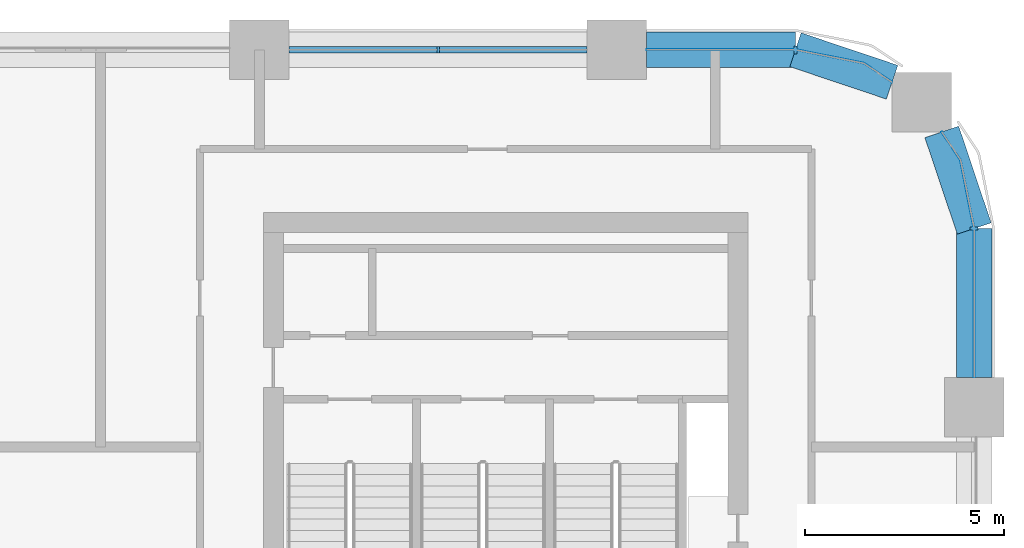
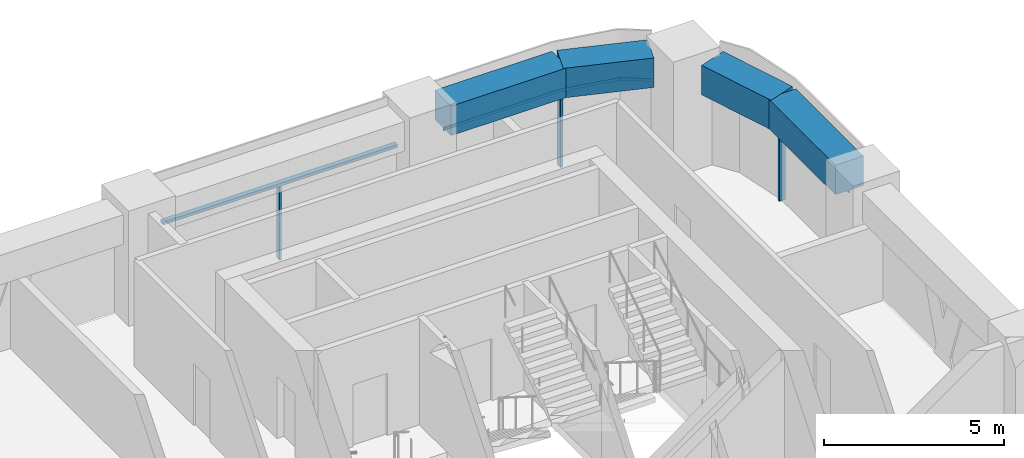
# One storey, part 6 of 14: 6 members, 4 beams, 3 elements without a shape of their own.
"""IFC4 building model written with IfcOpenShell, lengths in metres."""

from ifc_helpers import new_model, si_unit, direction, frame, origin, origin_2d, place, context, subcontext, project, spatial, polyline, rectangle, outline, extrude, material, material_profile, profile_set, type_object, element, aggregate, save


model = new_model("IFC4")

# Units and contexts
model_context = context("Model", 3, precision=1e-05, world=origin(), true_north=direction((0.0, 1.0)))
body_context = subcontext(model_context, "Body", "Model", "MODEL_VIEW")
ifc_project = project(units=[si_unit("LENGTHUNIT", "METRE"), si_unit("AREAUNIT", "SQUARE_METRE"), si_unit("VOLUMEUNIT", "CUBIC_METRE"), si_unit("PLANEANGLEUNIT", "RADIAN"), si_unit("MASSUNIT", "GRAM", prefix="KILO")], contexts=[model_context])

# Site, building, storey
site_placement = place(None, origin())
site = spatial("IfcSite", under=ifc_project, at=site_placement, CompositionType="ELEMENT")
building_placement = place(site_placement, origin())
building = spatial("IfcBuilding", under=site, at=building_placement, Name="Tessera Arch", CompositionType="ELEMENT")
storey_placement = place(building_placement, frame((0.0, 0.0, 138.800048828125)))
storey = spatial("IfcBuildingStorey", under=building, at=storey_placement, Name="L32", CompositionType="ELEMENT", Elevation=138.800048828125)

# Curtain wall, members
ifc_material_1 = material(Name="CW1 curtain wall")
curtain_wall_type_1 = type_object("IfcCurtainWallType", Name="CW1 curtain wall", PredefinedType="NOTDEFINED", material=ifc_material_1)
curtain_wall_1_placement = place(storey_placement, origin())
curtain_wall_1 = element("IfcCurtainWall", 1, at=curtain_wall_1_placement, inside=storey, type_object=curtain_wall_type_1, Name="CW1 curtain wall N54.0/1 L32", PredefinedType="NOTDEFINED")
ifc_material_2 = material(Name="Anodised aluminium pale metal", Category="aluminium")
ifc_material_profile_1 = material_profile(ifc_material_2, rectangle(XDim=0.159912109375, YDim=0.06005859375, at=origin_2d()), Name="AL 60x160")
ifc_profile_set_1 = profile_set([ifc_material_profile_1], Name="Anodised aluminium pale metal")
member_type_1 = type_object("IfcMemberType", Name="CW1 mullion", PredefinedType="MULLION", material=ifc_profile_set_1)
member_1_placement = place(storey_placement, frame((40.5, 54.0, 0.0), z_axis=(0.0, 0.0, 1.0), x_axis=(0.0, -1.0, 0.0)))
member_1 = element("IfcMember", 2, at=member_1_placement, type_object=member_type_1, Name="CW1 mullion N54.0/1 1", PredefinedType="MULLION", context=body_context, shape_type="SweptSolid", body=[
    extrude(rectangle(XDim=0.159912109375, YDim=0.06005859375, at=origin_2d()), origin(), (0.0, 0.0, 1.0), 2.5),
])
ifc_material_3 = material(Name="Anodised aluminium pale metal", Category="aluminium")
ifc_material_profile_2 = material_profile(ifc_material_3, rectangle(XDim=0.159912109375, YDim=0.10009765625, at=origin_2d()), Name="AL 160x100")
ifc_profile_set_2 = profile_set([ifc_material_profile_2], Name="Anodised aluminium pale metal")
member_type_2 = type_object("IfcMemberType", Name="CW1 transom", PredefinedType="USERDEFINED", material=ifc_profile_set_2)
member_2_placement = place(storey_placement, frame((44.25, 54.0, 2.550048828125), z_axis=(-1.0, 0.0, 0.0), x_axis=(0.0, -1.0, 0.0)))
member_2 = element("IfcMember", 3, at=member_2_placement, type_object=member_type_2, Name="CW1 transom N54.0/1 1.1", ObjectType="TRANSOM", PredefinedType="USERDEFINED", context=body_context, shape_type="SweptSolid", body=[
    extrude(rectangle(XDim=0.159912109375, YDim=0.10009765625, at=origin_2d()), origin(), (0.0, 0.0, 1.0), 7.5),
])
aggregate(curtain_wall_1, [member_1, member_2])

# Curtain wall, member
ifc_material_4 = material(Name="CW2 curtain wall")
curtain_wall_type_2 = type_object("IfcCurtainWallType", Name="CW2 curtain wall", PredefinedType="NOTDEFINED", material=ifc_material_4)
curtain_wall_2_placement = place(storey_placement, origin())
curtain_wall_2 = element("IfcCurtainWall", 4, at=curtain_wall_2_placement, inside=storey, type_object=curtain_wall_type_2, Name="CW2 curtain wall E54.27/1 L32", PredefinedType="NOTDEFINED")
ifc_material_5 = material(Name="Anodised aluminium pale metal", Category="aluminium")
ifc_material_profile_3 = material_profile(ifc_material_5, rectangle(XDim=0.199951171875, YDim=0.080078125, at=origin_2d()), Name="AL 80x200")
ifc_profile_set_3 = profile_set([ifc_material_profile_3], Name="Anodised aluminium pale metal")
member_type_3 = type_object("IfcMemberType", Name="CW2 mullion", PredefinedType="MULLION", material=ifc_profile_set_3)
member_3_placement = place(storey_placement, frame((54.0, 49.5, 0.0), z_axis=(0.0, 0.0, 1.0), x_axis=(-1.0, 0.0, 0.0)))
member_3 = element("IfcMember", 5, at=member_3_placement, type_object=member_type_3, Name="CW2 mullion E54.27/1 1", PredefinedType="MULLION", context=body_context, shape_type="SweptSolid", body=[
    extrude(rectangle(XDim=0.199951171875, YDim=0.080078125, at=origin_2d()), origin(), (0.0, 0.0, 1.0), 2.5),
])

curtain_wall_3_placement = place(storey_placement, origin())
curtain_wall_3 = element("IfcCurtainWall", 6, at=curtain_wall_3_placement, inside=storey, type_object=curtain_wall_type_2, Name="CW2 curtain wall N54.0/0 L32", PredefinedType="NOTDEFINED")
member_4_placement = place(storey_placement, frame((49.5, 54.0, 0.0), z_axis=(0.0, 0.0, 1.0), x_axis=(0.0, -1.0, 0.0)))
member_4 = element("IfcMember", 7, at=member_4_placement, type_object=member_type_3, Name="CW2 mullion N54.0/0 1", PredefinedType="MULLION", context=body_context, shape_type="SweptSolid", body=[
    extrude(rectangle(XDim=0.199951171875, YDim=0.080078125, at=origin_2d()), origin(), (0.0, 0.0, 1.0), 2.5),
])

# Member
ifc_material_6 = material(Name="Anodised aluminium pale metal", Category="aluminium")
ifc_material_profile_4 = material_profile(ifc_material_6, rectangle(XDim=0.199951171875, YDim=0.10009765625, at=origin_2d()), Name="AL 200x100")
ifc_profile_set_4 = profile_set([ifc_material_profile_4], Name="Anodised aluminium pale metal")
member_type_4 = type_object("IfcMemberType", Name="CW2 transom", PredefinedType="USERDEFINED", material=ifc_profile_set_4)
member_5_placement = place(storey_placement, frame((0.0, 0.0, 2.5)))
member_5 = element("IfcMember", 8, at=member_5_placement, type_object=member_type_4, Name="CW2 transom E54.27/1 1", ObjectType="TRANSOM", PredefinedType="USERDEFINED", context=body_context, shape_type="SweptSolid", body=[
    extrude(outline(polyline([(53.989990234375, 49.4990234375), (53.989990234375, 45.75), (54.010009765625, 45.75), (54.010009765625, 49.5009765625), (53.6669921875, 51.22607421875), (53.19140625, 51.9375), (53.1748046875, 51.926513671875), (53.648193359375, 51.21826171875), (53.989990234375, 49.4990234375)])), origin(), (0.0, 0.0, 1.0), 0.099853515625),
])

aggregate(curtain_wall_2, [member_3, member_5])

member_6_placement = place(storey_placement, frame((0.0, 0.0, 2.5)))
member_6 = element("IfcMember", 9, at=member_6_placement, type_object=member_type_4, Name="CW2 transom N54.0/0 1", ObjectType="TRANSOM", PredefinedType="USERDEFINED", context=body_context, shape_type="SweptSolid", body=[
    extrude(outline(polyline([(51.21826171875, 53.648193359375), (51.926513671875, 53.1748046875), (51.9375, 53.19140625), (51.22607421875, 53.6669921875), (49.5009765625, 54.010009765625), (45.75, 54.010009765625), (45.75, 53.989990234375), (49.4990234375, 53.989990234375), (51.21826171875, 53.648193359375)])), origin(), (0.0, 0.0, 1.0), 0.099853515625),
])

aggregate(curtain_wall_3, [member_4, member_6])

# Beams
ifc_material_7 = material(Name="Concrete C70/85", Category="concrete")
ifc_material_profile_5 = material_profile(ifc_material_7, rectangle(XDim=0.89990234375, YDim=1.0, at=origin_2d()), Name="RC spandrel beam 900 x 1000 Concrete C70/85")
ifc_profile_set_5 = profile_set([ifc_material_profile_5], Name="Concrete C70/85")
beam_type = type_object("IfcBeamType", Name="RC spandrel beam 900 x 1000 Concrete C70/85", PredefinedType="BEAM", material=ifc_profile_set_5)
beam_1_placement = place(storey_placement, frame((54.0, 45.75, 3.099853515625), z_axis=(0.0, 1.0, 0.0), x_axis=(-1.0, 0.0, 0.0)))
element("IfcBeam", 10, at=beam_1_placement, inside=storey, type_object=beam_type, Name="Spandrel beam L32 E54.27/1.1", PredefinedType="BEAM", context=body_context, shape_type="SweptSolid", body=[
    extrude(rectangle(XDim=0.89990234375, YDim=1.0, at=origin_2d()), origin(), (0.0, 0.0, 1.0), 3.75),
])
for number, where, z_axis, x_axis, name in (
    (11, (54.0, 49.5, 3.099853515625), (-0.31842525032, 0.947947973234, 0.0), (-0.947947973234, -0.31842525032, 0.0), "Spandrel beam L32 E54.27/1.2"),
    (12, (51.931884765625, 53.18310546875, 3.099853515625), (-0.947947973234, 0.31842525032, 0.0), (-0.31842525032, -0.947947973234, 0.0), "Spandrel beam L32 N54.0/0.1"),
):
    element("IfcBeam", number, at=place(storey_placement, frame(where, z_axis=z_axis, x_axis=x_axis)), inside=storey, type_object=beam_type, Name=name, PredefinedType="BEAM", context=body_context, shape_type="SweptSolid", body=[
        extrude(rectangle(XDim=0.89990234375, YDim=1.0, at=origin_2d()), origin(), (0.0, 0.0, 1.0), 2.5654296875),
    ])
beam_2_placement = place(storey_placement, frame((49.5, 54.0, 3.099853515625), z_axis=(-1.0, 0.0, 0.0), x_axis=(0.0, -1.0, 0.0)))
element("IfcBeam", 13, at=beam_2_placement, inside=storey, type_object=beam_type, Name="Spandrel beam L32 N54.0/0.2", PredefinedType="BEAM", context=body_context, shape_type="SweptSolid", body=[
    extrude(rectangle(XDim=0.89990234375, YDim=1.0, at=origin_2d()), origin(), (0.0, 0.0, 1.0), 3.75),
])

save(model, "model.ifc")
